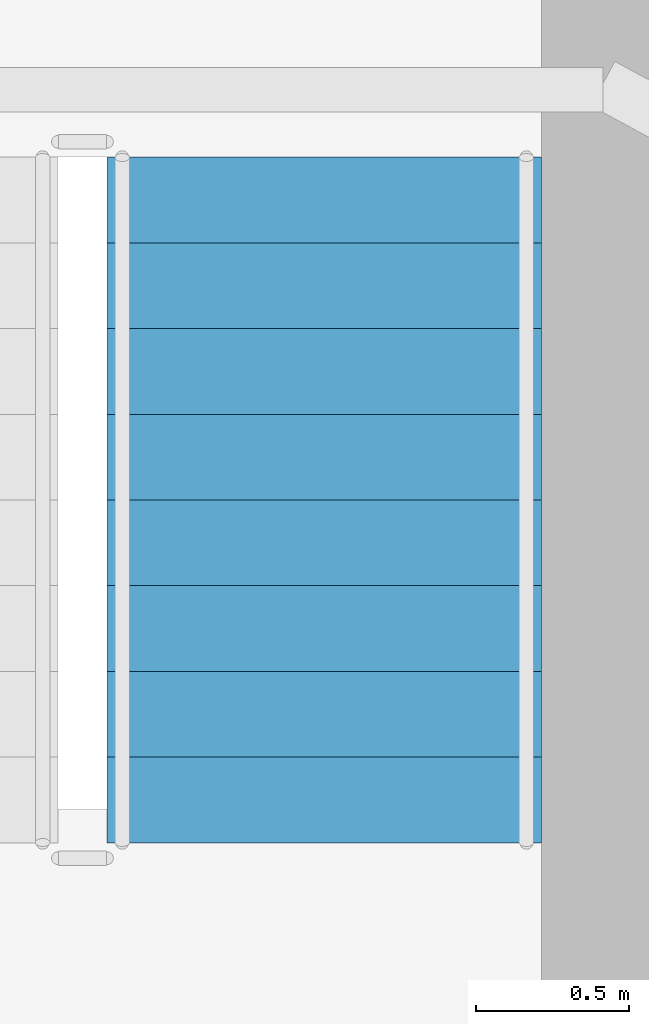
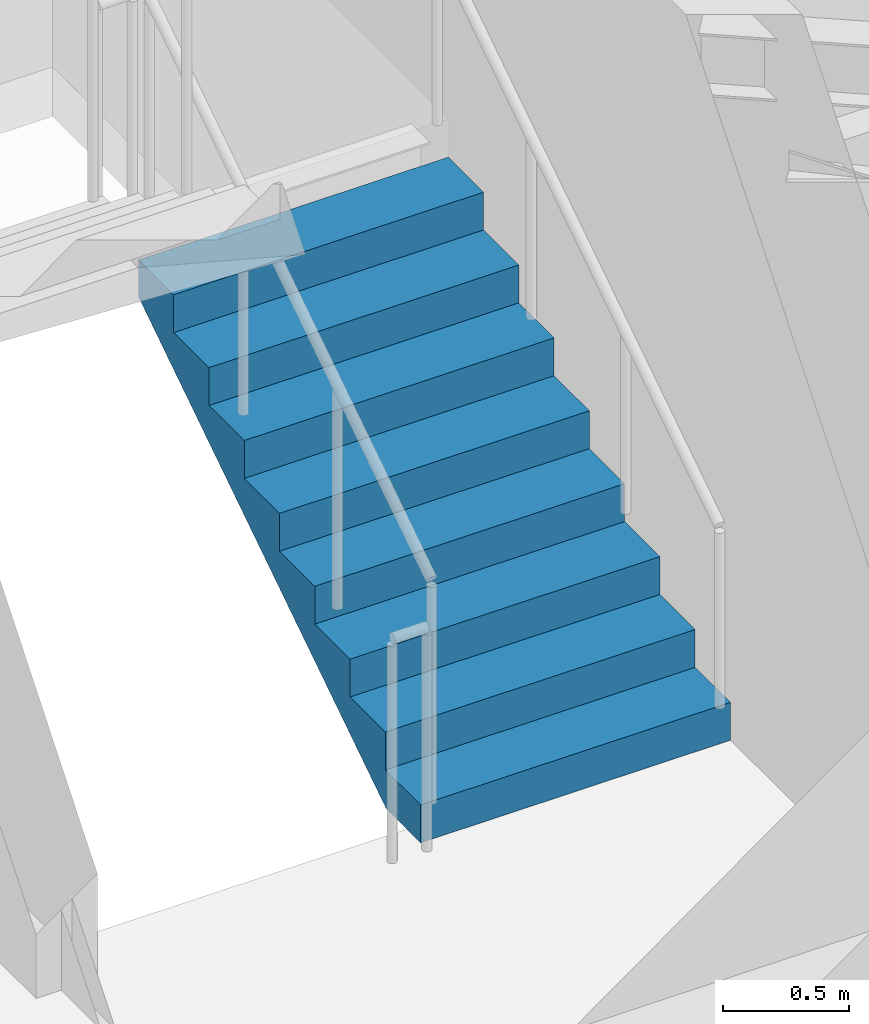
# One storey, part 30 of 33: 1 stair flight, 1 element without a shape of its own.
"""IFC4 building model written with IfcOpenShell, lengths in metres."""

import ifcopenshell
import ifcopenshell.guid

model = None  # the IFC model being written
_history = None  # IfcOwnerHistory: only IFC2X3 demands one
_inside = {}  # id of a spatial element -> (the spatial element, [elements in it])
_under = {}  # id of a project, library or spatial element -> (it, [spatial elements below it])
_declared = {}  # id of a project -> (the project, [libraries it declares])
_typed = {}  # id of a type object -> (the type object, [elements of that type])
_made_of = {}  # id of a material, layer set ... -> (it, [elements and type objects made of it])


def new_model(schema):
    """Start an empty IFC model of exactly this schema.

    Asked for "IFC4X3", IfcOpenShell would pick the latest addendum, in which some entities
    have other attributes; the version numbers below select the first issue.
    IFC2X3 requires an IfcOwnerHistory on every rooted entity: one is made here for all.
    """
    global model, _history
    if schema == "IFC4X3":
        model = ifcopenshell.file(schema_version=(4, 3, 0, 0))
    else:
        model = ifcopenshell.file(schema=schema)
    _inside.clear()
    _under.clear()
    _declared.clear()
    _typed.clear()
    _made_of.clear()
    _history = None
    if model.schema == "IFC2X3":
        org = make("IfcOrganization", Name="unknown")
        user = make(
            "IfcPersonAndOrganization",
            ThePerson=make("IfcPerson", FamilyName="unknown"),
            TheOrganization=org,
        )
        app = make(
            "IfcApplication",
            ApplicationDeveloper=org,
            Version="unknown",
            ApplicationFullName="unknown",
            ApplicationIdentifier="unknown",
        )
        _history = make(
            "IfcOwnerHistory",
            OwningUser=user,
            OwningApplication=app,
            ChangeAction="ADDED",
            CreationDate=0,
        )
    return model


def make(cls, **values):
    """One entity of the class cls with the attributes given. An attribute that is None is left unset."""
    return model.create_entity(
        cls, **{name: value for name, value in values.items() if value is not None}
    )


def rooted(cls, **values):
    """An entity with a GlobalId (a new one), such as an element, a storey or a relation."""
    return make(cls, GlobalId=ifcopenshell.guid.new(), OwnerHistory=_history, **values)


def si_unit(unit_type, name, prefix=None):
    """IfcSIUnit, for example si_unit("LENGTHUNIT", "METRE", prefix="MILLI")."""
    return make("IfcSIUnit", UnitType=unit_type, Prefix=prefix, Name=name)


def assignment(units):
    """IfcUnitAssignment: the units of a project."""
    return None if units is None else make("IfcUnitAssignment", Units=units)


def point(xyz):
    """IfcCartesianPoint."""
    return None if xyz is None else make("IfcCartesianPoint", Coordinates=xyz)


def direction(xyz):
    """IfcDirection."""
    return None if xyz is None else make("IfcDirection", DirectionRatios=xyz)


def frame(location, z_axis=None, x_axis=None):
    """IfcAxis2Placement3D, a coordinate frame: its origin and axes. An axis left out is left unset."""
    return make(
        "IfcAxis2Placement3D",
        Location=point(location),
        Axis=direction(z_axis),
        RefDirection=direction(x_axis),
    )


def origin():
    """The frame at (0, 0, 0) with its axes left unset."""
    return frame((0.0, 0.0, 0.0))


def place(relative_to, where):
    """IfcLocalPlacement: puts the frame where relative to a parent placement (None: the world)."""
    return make(
        "IfcLocalPlacement", PlacementRelTo=relative_to, RelativePlacement=where
    )


def context(
    kind, dimensions, precision=None, world=None, true_north=None, identifier=None
):
    """IfcGeometricRepresentationContext, for example the 3D "Model" context."""
    return make(
        "IfcGeometricRepresentationContext",
        ContextIdentifier=identifier,
        ContextType=kind,
        CoordinateSpaceDimension=dimensions,
        Precision=precision,
        WorldCoordinateSystem=world,
        TrueNorth=true_north,
    )


def subcontext(parent, identifier, kind, view, scale=None):
    """IfcGeometricRepresentationSubContext, for example "Body" below "Model"."""
    return make(
        "IfcGeometricRepresentationSubContext",
        ContextIdentifier=identifier,
        ContextType=kind,
        ParentContext=parent,
        TargetScale=scale,
        TargetView=view,
    )


def project(units=None, contexts=None):
    """IfcProject with its units and contexts."""
    return rooted(
        "IfcProject",
        Name="project",
        RepresentationContexts=contexts,
        UnitsInContext=assignment(units),
    )


def spatial(cls, under=None, at=None, **own):
    """A site, building, storey or space (cls), placed at a placement, below another one or the project."""
    s = rooted(cls, ObjectPlacement=at, **own)
    if under is not None:
        _under.setdefault(under.id(), (under, []))[1].append(s)
    return s


def polyline(points):
    """IfcPolyline through the points."""
    return make("IfcPolyline", Points=[point(p) for p in points])


def outline(outer, holes=None, kind="AREA"):
    """IfcArbitraryClosedProfileDef: a profile drawn as a closed curve; with holes, ...WithVoids."""
    if holes is None:
        return make("IfcArbitraryClosedProfileDef", ProfileType=kind, OuterCurve=outer)
    return make(
        "IfcArbitraryProfileDefWithVoids",
        ProfileType=kind,
        OuterCurve=outer,
        InnerCurves=holes,
    )


def extrude(swept, where, along, depth):
    """IfcExtrudedAreaSolid: the profile swept, set in the frame where, extruded along a direction by depth."""
    return make(
        "IfcExtrudedAreaSolid",
        SweptArea=swept,
        Position=where,
        ExtrudedDirection=direction(along),
        Depth=depth,
    )


def shape(context_of_items, identifier, shape_type, items):
    """IfcShapeRepresentation: the items that make up one representation, for example the "Body"."""
    return make(
        "IfcShapeRepresentation",
        ContextOfItems=context_of_items,
        RepresentationIdentifier=identifier,
        RepresentationType=shape_type,
        Items=items,
    )


def material(Name=None, Category=None):
    """IfcMaterial."""
    return make("IfcMaterial", Name=Name, Category=Category)


def made_of(thing, what):
    """Note that an element or type object is made of a material, layer set ...; save() writes the relation."""
    if what is not None:
        _made_of.setdefault(what.id(), (what, []))[1].append(thing)
    return thing


def type_object(cls, material=None, **own):
    """A type object (cls), such as IfcWallType, which elements share."""
    return made_of(rooted(cls, **own), material)


def element(
    cls,
    number,
    at=None,
    inside=None,
    cuts=None,
    type_object=None,
    material=None,
    context=None,
    identifier="Body",
    shape_type=None,
    held_by="IfcProductDefinitionShape",
    body=None,
    shapes=None,
    **own,
):
    """One element of the class cls, such as IfcWall. Its Tag is "e" and its number.

    at: its placement. inside: the storey or other place that contains it. cuts: it is an
    opening in that element (IfcRelVoidsElement). A single representation is given by context,
    identifier, shape_type and body (its items); several are given by shapes. held_by: the class
    of the entity that holds the representations. save() writes the other relations.
    """
    e = rooted(cls, Tag="e%d" % number, ObjectPlacement=at, **own)
    if body is not None:
        shapes = [shape(context, identifier, shape_type, body)]
    if shapes is not None:
        e.Representation = make(held_by, Representations=shapes)
    if inside is not None:
        _inside.setdefault(inside.id(), (inside, []))[1].append(e)
    if cuts is not None:
        rooted(
            "IfcRelVoidsElement", RelatingBuildingElement=cuts, RelatedOpeningElement=e
        )
    if type_object is not None:
        _typed.setdefault(type_object.id(), (type_object, []))[1].append(e)
    return made_of(e, material)


def aggregate(whole, parts):
    """IfcRelAggregates: a whole, such as a stair, and the parts it consists of."""
    return rooted("IfcRelAggregates", RelatingObject=whole, RelatedObjects=parts)


def save(model, path):
    """Write the relations noted so far, then the file.

    IfcRelAggregates (storeys below a building ...), IfcRelContainedInSpatialStructure (elements
    in a storey), IfcRelDefinesByType, IfcRelAssociatesMaterial and IfcRelDeclares: one each for
    every whole, place, type object, material and project.
    """
    for whole, parts in _under.values():
        aggregate(whole, parts)
    for where, things in _inside.values():
        rooted(
            "IfcRelContainedInSpatialStructure",
            RelatedElements=things,
            RelatingStructure=where,
        )
    for kind, things in _typed.values():
        rooted("IfcRelDefinesByType", RelatedObjects=things, RelatingType=kind)
    for what, things in _made_of.values():
        rooted("IfcRelAssociatesMaterial", RelatedObjects=things, RelatingMaterial=what)
    for by, libraries in _declared.values():
        rooted("IfcRelDeclares", RelatingContext=by, RelatedDefinitions=libraries)
    model.write(path)


model = new_model("IFC4")

# Units and contexts
model_context = context("Model", 3, precision=1e-05, world=origin(), true_north=direction((0.0, 1.0)))
body_context = subcontext(model_context, "Body", "Model", "MODEL_VIEW")
ifc_project = project(units=[si_unit("LENGTHUNIT", "METRE"), si_unit("AREAUNIT", "SQUARE_METRE"), si_unit("VOLUMEUNIT", "CUBIC_METRE"), si_unit("PLANEANGLEUNIT", "RADIAN"), si_unit("MASSUNIT", "GRAM", prefix="KILO")], contexts=[model_context])

# Site, building, storey
site_placement = place(None, origin())
site = spatial("IfcSite", under=ifc_project, at=site_placement, CompositionType="ELEMENT")
building_placement = place(site_placement, origin())
building = spatial("IfcBuilding", under=site, at=building_placement, Name="Orvanel Arch Residences", CompositionType="ELEMENT")
storey_placement = place(building_placement, frame((0.0, 0.0, 119.89990234375)))
storey = spatial("IfcBuildingStorey", under=building, at=storey_placement, Name="L33", CompositionType="ELEMENT", Elevation=119.89990234375)

# Stair, stair flight
ifc_material = material(Name="Precast concrete N50 (50 MPa)", Category="concrete")
stair_type = type_object("IfcStairType", Name="STR-DOG-184", PredefinedType="USERDEFINED", material=ifc_material)
stair_placement = place(storey_placement, origin())
stair = element("IfcStair", 1, at=stair_placement, inside=storey, type_object=stair_type, Name="L33 Fire-Isolated Core Exit Stair 2", ObjectType="TWO_RETURN_STAIR", PredefinedType="USERDEFINED")
stair_flight_type = type_object("IfcStairFlightType", Name="SFL-C2-184", PredefinedType="STRAIGHT", material=ifc_material)
stair_flight_placement = place(storey_placement, frame((38.68994140625, 28.320068359375, 0.0), z_axis=(0.0, 0.0, 1.0), x_axis=(0.0, 1.0, 0.0)))
stair_flight = element("IfcStairFlight", 2, at=stair_flight_placement, type_object=stair_flight_type, Name="ST-2 flight 1", NumberOfRisers=9, NumberOfTreads=8, PredefinedType="STRAIGHT", RiserHeight=0.183333333, TreadLength=0.28, context=body_context, shape_type="SweptSolid", body=[
    extrude(outline(polyline([(0.0, 0.0), (0.0, 0.183349609375), (0.280029296875, 0.183349609375), (0.280029296875, 0.36669921875), (0.56005859375, 0.36669921875), (0.56005859375, 0.550048828125), (0.840087890625, 0.550048828125), (0.840087890625, 0.7333984375), (1.1201171875, 0.7333984375), (1.1201171875, 0.916748046875), (1.39990234375, 0.916748046875), (1.39990234375, 1.10009765625), (1.679931640625, 1.10009765625), (1.679931640625, 1.283447265625), (1.9599609375, 1.283447265625), (1.9599609375, 1.466552734375), (2.239990234375, 1.466552734375), (2.239990234375, 1.64990234375), (2.239990234375, 1.28759765625), (0.273681640625, 0.0), (0.0, 0.0)])), frame((0.0, 0.7099609375, 0.0), z_axis=(0.0, -1.0, 0.0), x_axis=(1.0, 0.0, 0.0)), (0.0, 0.0, 1.0), 1.419921875),
])
aggregate(stair, [stair_flight])

save(model, "model.ifc")
